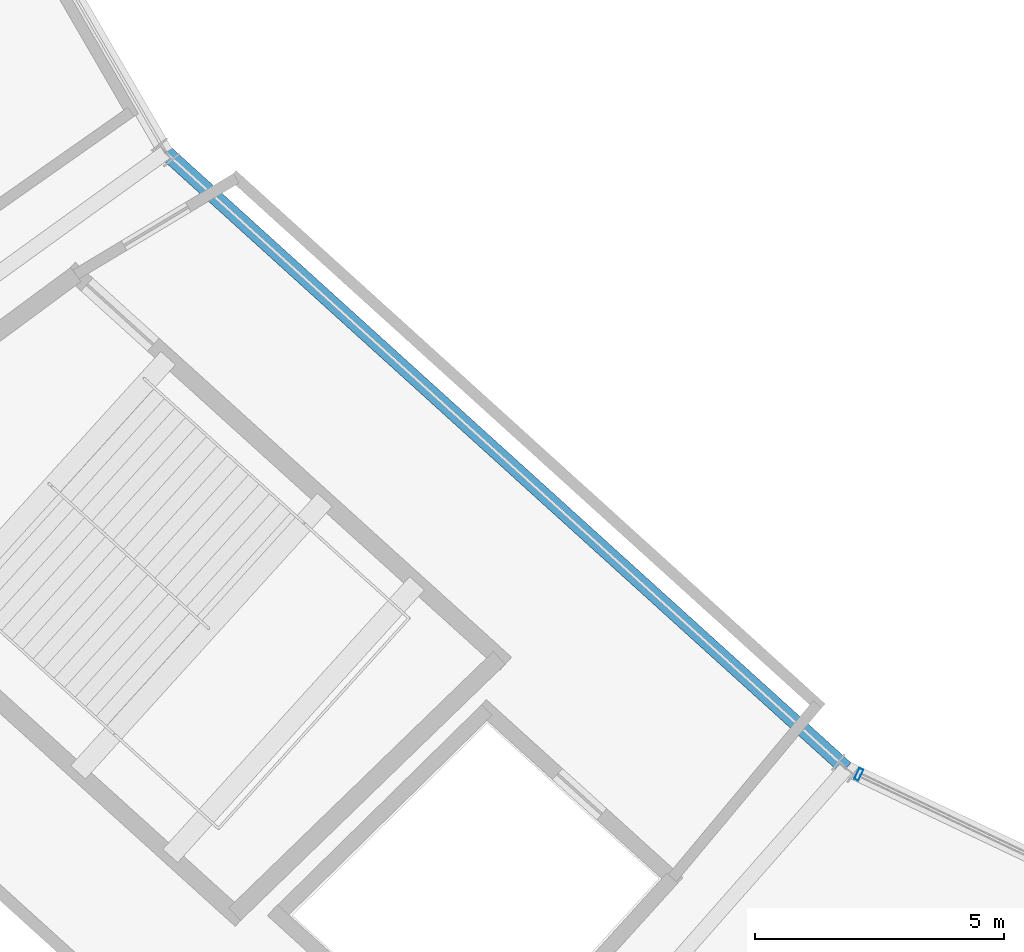
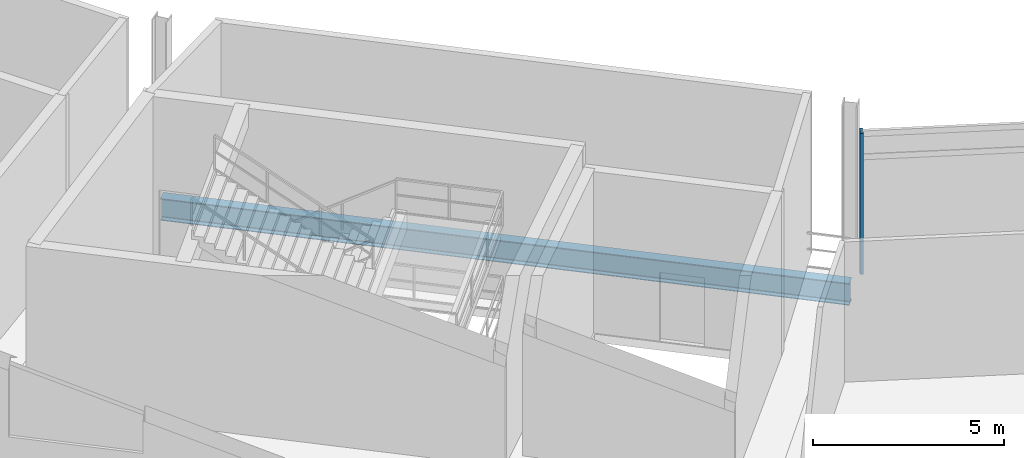
# One storey, part 20 of 86: 1 beam, 1 member, 1 element without a shape of its own.
"""IFC4 building model written with IfcOpenShell, lengths in metres."""

from ifc_helpers import new_model, si_unit, direction, frame, origin, origin_2d, place, context, subcontext, project, spatial, hollow_rectangle, i_section, extrude, material, layer, layer_set, material_profile, profile_set, type_object, element, aggregate, save


model = new_model("IFC4")

# Units and contexts
model_context = context("Model", 3, precision=1e-05, world=origin(), true_north=direction((0.0, 1.0)))
body_context = subcontext(model_context, "Body", "Model", "MODEL_VIEW")
ifc_project = project(units=[si_unit("LENGTHUNIT", "METRE"), si_unit("AREAUNIT", "SQUARE_METRE"), si_unit("VOLUMEUNIT", "CUBIC_METRE"), si_unit("PLANEANGLEUNIT", "RADIAN"), si_unit("MASSUNIT", "GRAM", prefix="KILO")], contexts=[model_context])

# Site, building, storey
site_placement = place(None, origin())
site = spatial("IfcSite", under=ifc_project, at=site_placement, CompositionType="ELEMENT")
building_placement = place(site_placement, origin())
building = spatial("IfcBuilding", under=site, at=building_placement, Name="Kazemori Nagisa Stadium", CompositionType="ELEMENT")
storey_placement = place(building_placement, frame((0.0, 0.0, 31.280029296875)))
storey = spatial("IfcBuildingStorey", under=building, at=storey_placement, Name="L06", CompositionType="ELEMENT", Elevation=31.280029296875)

# Beam
ifc_material_1 = material(Name="Steel SN490B", Category="steel")
ifc_material_profile_1 = material_profile(ifc_material_1, i_section(OverallWidth=0.300048828125, OverallDepth=0.699951171875, WebThickness=0.012939453125, FlangeThickness=0.02392578125, FilletRadius=0.01806640625, at=origin_2d()), Name="H-700x300x13x24")
ifc_profile_set_1 = profile_set([ifc_material_profile_1], Name="Steel SN490B")
beam_type = type_object("IfcBeamType", Name="Beam_BG-H700", PredefinedType="BEAM", material=ifc_profile_set_1)
beam_placement = place(storey_placement, frame((55.493896484375, 53.265869140625, -0.610107421875), z_axis=(0.741349142139, -0.671119549298, 0.0), x_axis=(0.671119549298, 0.741349142139, 0.0)))
element("IfcBeam", 1, at=beam_placement, inside=storey, type_object=beam_type, Name="Ring girder BG-H700 L06 R2-18", PredefinedType="BEAM", context=body_context, shape_type="SweptSolid", body=[
    extrude(i_section(OverallWidth=0.300048828125, OverallDepth=0.699951171875, WebThickness=0.012939453125, FlangeThickness=0.02392578125, FilletRadius=0.01806640625, at=origin_2d()), origin(), (0.0, 0.0, 1.0), 18.44189453125),
])

# Curtain wall, member
ifc_material_2 = material(Name="Anodised aluminium 6063-T5", Category="aluminium")
ifc_layer = layer(ifc_material_2, 0.239990234375, Name="Anodised aluminium 6063-T5", Category="aluminium")
ifc_layer_set = layer_set([ifc_layer], Name="Anodised aluminium 6063-T5")
curtain_wall_type = type_object("IfcCurtainWallType", Name="CW_L06G_92", PredefinedType="USERDEFINED", material=ifc_layer_set)
curtain_wall_placement = place(storey_placement, origin())
curtain_wall = element("IfcCurtainWall", 2, at=curtain_wall_placement, inside=storey, type_object=curtain_wall_type, Name="Unitised curtain wall CW-L06G-92 L06", ObjectType="UNITISED CURTAIN WALL", PredefinedType="USERDEFINED")
ifc_material_3 = material(Name="Aluminium 6063-T5 anodised", Category="aluminium")
ifc_material_profile_2 = material_profile(ifc_material_3, hollow_rectangle(XDim=0.090087890625, YDim=0.239990234375, WallThickness=0.0048828125, at=origin_2d()), Name="ALU-MULL-90x240x5")
ifc_profile_set_2 = profile_set([ifc_material_profile_2], Name="Aluminium 6063-T5 anodised")
member_type = type_object("IfcMemberType", Name="Mullion_M03", PredefinedType="MULLION", material=ifc_profile_set_2)
member_placement = place(storey_placement, frame((69.423095703125, 40.766845703125, 0.0), z_axis=(0.0, 0.0, 1.0), x_axis=(0.903215892654, -0.429186499388, 0.0)))
member = element("IfcMember", 3, at=member_placement, type_object=member_type, Name="Curtain wall mullion CW-L06G-92-M1", PredefinedType="MULLION", context=body_context, shape_type="SweptSolid", body=[
    extrude(hollow_rectangle(XDim=0.090087890625, YDim=0.239990234375, WallThickness=0.0048828125, at=origin_2d()), origin(), (0.0, 0.0, 1.0), 4.510009765625),
])
aggregate(curtain_wall, [member])

save(model, "model.ifc")
